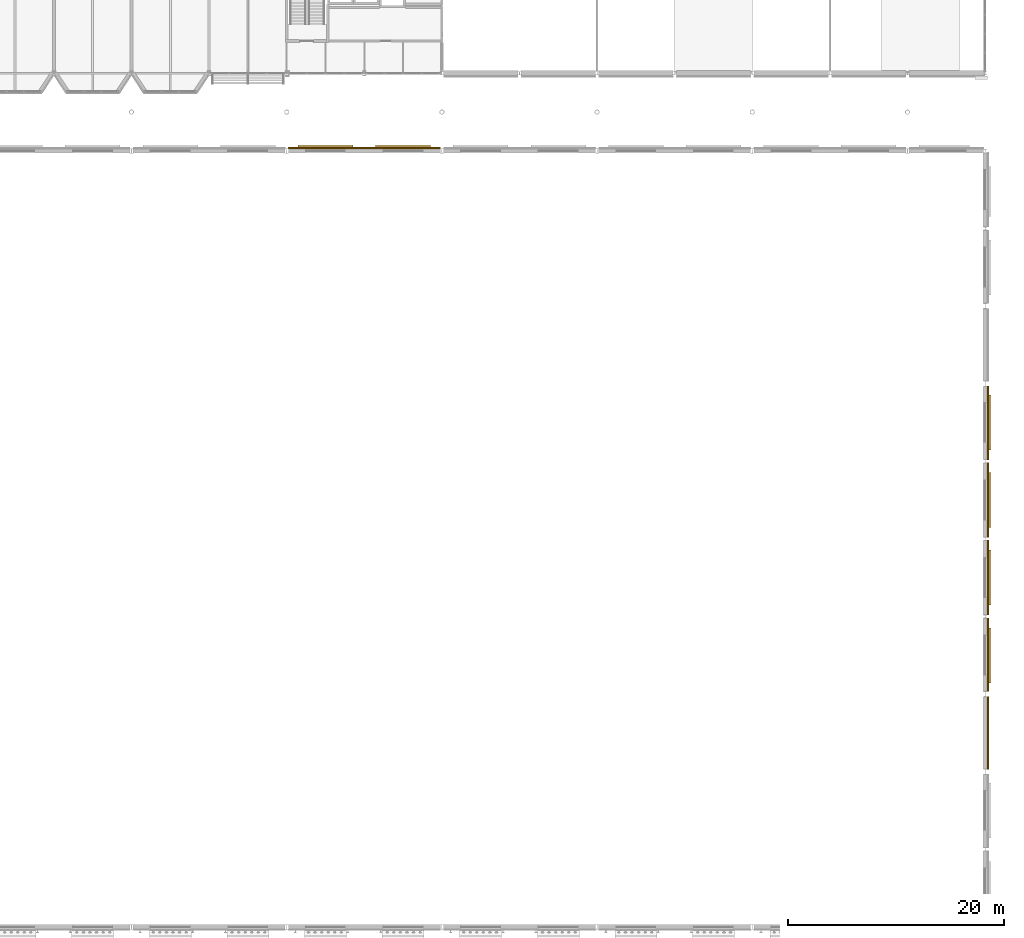
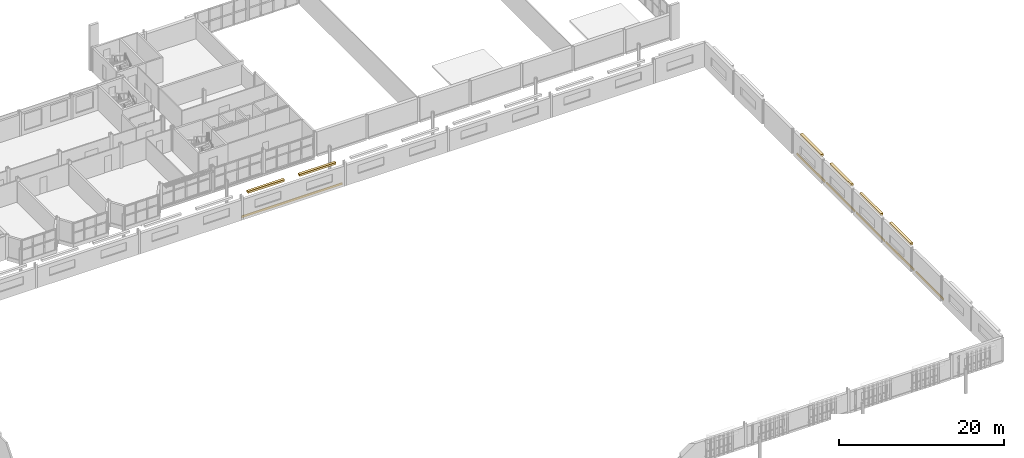
# One storey, part 116 of 124: 12 coverings.
"""IFC4 building model written with IfcOpenShell, lengths in metres."""

from ifc_helpers import new_model, si_unit, direction, frame, origin, origin_2d, place, context, subcontext, project, spatial, rectangle, extrude, material, layer, layer_set, type_object, element, save


model = new_model("IFC4")

# Units and contexts
model_context = context("Model", 3, precision=1e-05, world=origin(), true_north=direction((0.0, 1.0)))
body_context = subcontext(model_context, "Body", "Model", "MODEL_VIEW")
ifc_project = project(units=[si_unit("LENGTHUNIT", "METRE"), si_unit("AREAUNIT", "SQUARE_METRE"), si_unit("VOLUMEUNIT", "CUBIC_METRE"), si_unit("PLANEANGLEUNIT", "RADIAN"), si_unit("MASSUNIT", "GRAM", prefix="KILO")], contexts=[model_context])

# Site, building, storey
site_placement = place(None, origin())
site = spatial("IfcSite", under=ifc_project, at=site_placement, CompositionType="ELEMENT")
building_placement = place(site_placement, origin())
building = spatial("IfcBuilding", under=site, at=building_placement, Name="Kupolbacken Congress Centre", CompositionType="ELEMENT")
storey_placement = place(building_placement, frame((0.0, 0.0, 10.800048828125)))
storey = spatial("IfcBuildingStorey", under=building, at=storey_placement, Name="L03", CompositionType="ELEMENT", Elevation=10.800048828125)

# Coverings
ifc_material_1 = material(Name="Brick cladding", Category="masonry")
ifc_layer_1 = layer(ifc_material_1, 0.10791015625)
ifc_layer_set_1 = layer_set([ifc_layer_1], Name="Brick cladding")
covering_type_1 = type_object("IfcCoveringType", Name="CV2 brick cladding band 108", PredefinedType="CLADDING", material=ifc_layer_set_1)
covering_1_placement = place(storey_placement, frame((201.864013671875, 61.199951171875, 0.0), z_axis=(0.0, 0.0, 1.0), x_axis=(0.0, 1.0, 0.0)))
element("IfcCovering", 1, at=covering_1_placement, inside=storey, type_object=covering_type_1, Name="E/H/E/L03/345/band", PredefinedType="CLADDING", context=body_context, shape_type="SweptSolid", body=[
    extrude(rectangle(XDim=6.7099609375, YDim=0.10791015625, at=origin_2d()), origin(), (0.0, 0.0, 1.0), 0.300048828125),
])
covering_2_placement = place(storey_placement, frame((201.864013671875, 68.449951171875, 0.0), z_axis=(0.0, 0.0, 1.0), x_axis=(0.0, 1.0, 0.0)))
element("IfcCovering", 2, at=covering_2_placement, inside=storey, type_object=covering_type_1, Name="E/H/E/L03/346/band", PredefinedType="CLADDING", context=body_context, shape_type="SweptSolid", body=[
    extrude(rectangle(XDim=6.81005859375, YDim=0.10791015625, at=origin_2d()), origin(), (0.0, 0.0, 1.0), 0.300048828125),
])
for number, where, z_axis, x_axis, name in (
    (3, (201.864013671875, 75.60009765625, 0.0), (0.0, 0.0, 1.0), (0.0, 1.0, 0.0), "E/H/E/L03/347/band"),
    (4, (201.864013671875, 82.800048828125, 0.0), (0.0, 0.0, 1.0), (0.0, 1.0, 0.0), "E/H/E/L03/348/band"),
):
    element("IfcCovering", number, at=place(storey_placement, frame(where, z_axis=z_axis, x_axis=x_axis)), inside=storey, type_object=covering_type_1, Name=name, PredefinedType="CLADDING", context=body_context, shape_type="SweptSolid", body=[
        extrude(rectangle(XDim=6.909912109375, YDim=0.10791015625, at=origin_2d()), origin(), (0.0, 0.0, 1.0), 0.300048828125),
    ])
covering_3_placement = place(storey_placement, frame((201.864013671875, 89.949951171875, 0.0), z_axis=(0.0, 0.0, 1.0), x_axis=(0.0, 1.0, 0.0)))
element("IfcCovering", 5, at=covering_3_placement, inside=storey, type_object=covering_type_1, Name="E/H/E/L03/349/band", PredefinedType="CLADDING", context=body_context, shape_type="SweptSolid", body=[
    extrude(rectangle(XDim=6.81005859375, YDim=0.10791015625, at=origin_2d()), origin(), (0.0, 0.0, 1.0), 0.300048828125),
])
covering_4_placement = place(storey_placement, frame((144.0, 115.464111328125, 0.0), z_axis=(0.0, 0.0, 1.0), x_axis=(-1.0, 0.0, 0.0)))
element("IfcCovering", 6, at=covering_4_placement, inside=storey, type_object=covering_type_1, Name="E/H/N/L03/357/band", PredefinedType="CLADDING", context=body_context, shape_type="SweptSolid", body=[
    extrude(rectangle(XDim=14.10009765625, YDim=0.10791015625, at=origin_2d()), origin(), (0.0, 0.0, 1.0), 0.300048828125),
])
ifc_material_2 = material(Name="Limestone cladding", Category="masonry")
ifc_layer_2 = layer(ifc_material_2, 0.35009765625)
ifc_layer_set_2 = layer_set([ifc_layer_2], Name="Limestone cladding")
covering_type_2 = type_object("IfcCoveringType", Name="CV3 limestone pilaster strip 350", PredefinedType="CLADDING", material=ifc_layer_set_2)
for number, where, z_axis, x_axis, name in (
    (7, (140.39990234375, 115.5849609375, 3.2998046875), (0.0, 0.0, 1.0), (1.0, 0.0, 0.0), "F/HR/H/N/string/14.4/07/1"),
    (8, (147.60009765625, 115.5849609375, 3.2998046875), (0.0, 0.0, 1.0), (1.0, 0.0, 0.0), "F/HR/H/N/string/14.4/08/1"),
    (9, (201.985107421875, 68.39990234375, 3.2998046875), (0.0, 0.0, 1.0), (0.0, 1.0, 0.0), "F/HR/H/E/string/14.4/03/1"),
    (10, (201.985107421875, 75.60009765625, 3.2998046875), (0.0, 0.0, 1.0), (0.0, 1.0, 0.0), "F/HR/H/E/string/14.4/04/1"),
    (11, (201.985107421875, 82.800048828125, 3.2998046875), (0.0, 0.0, 1.0), (0.0, 1.0, 0.0), "F/HR/H/E/string/14.4/05/1"),
    (12, (201.985107421875, 90.0, 3.2998046875), (0.0, 0.0, 1.0), (0.0, 1.0, 0.0), "F/HR/H/E/string/14.4/06/1"),
):
    element("IfcCovering", number, at=place(storey_placement, frame(where, z_axis=z_axis, x_axis=x_axis)), inside=storey, type_object=covering_type_2, Name=name, PredefinedType="CLADDING", context=body_context, shape_type="SweptSolid", body=[
        extrude(rectangle(XDim=5.10009765625, YDim=0.35009765625, at=origin_2d()), origin(), (0.0, 0.0, 1.0), 0.300048828125),
    ])

save(model, "model.ifc")
